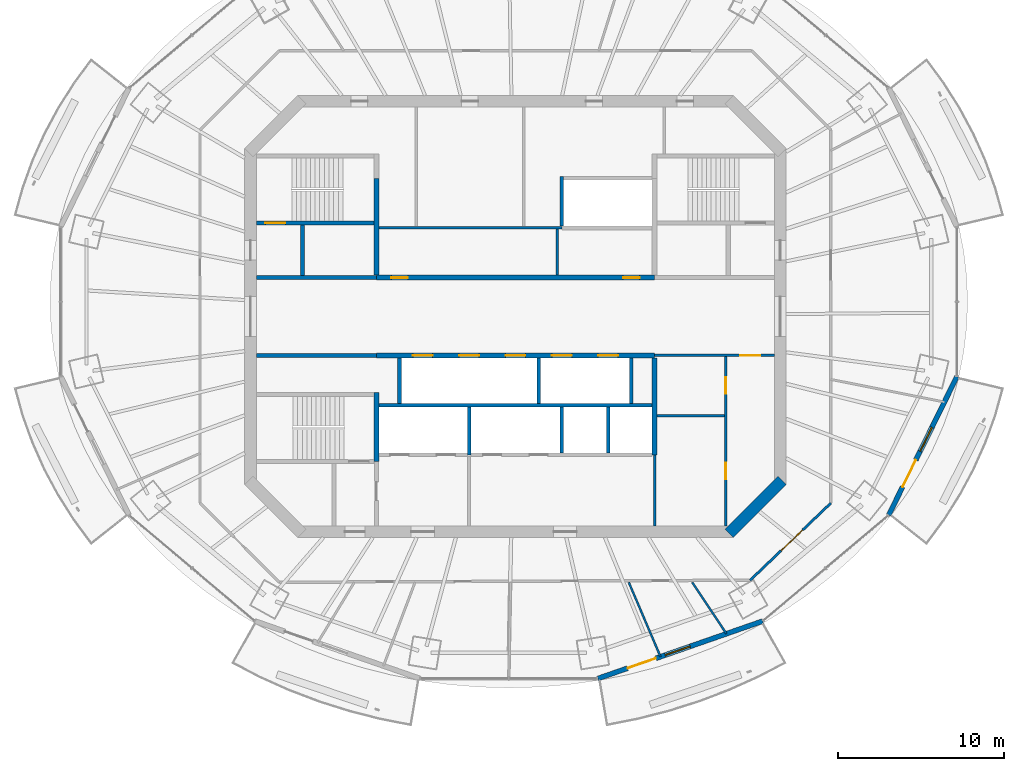
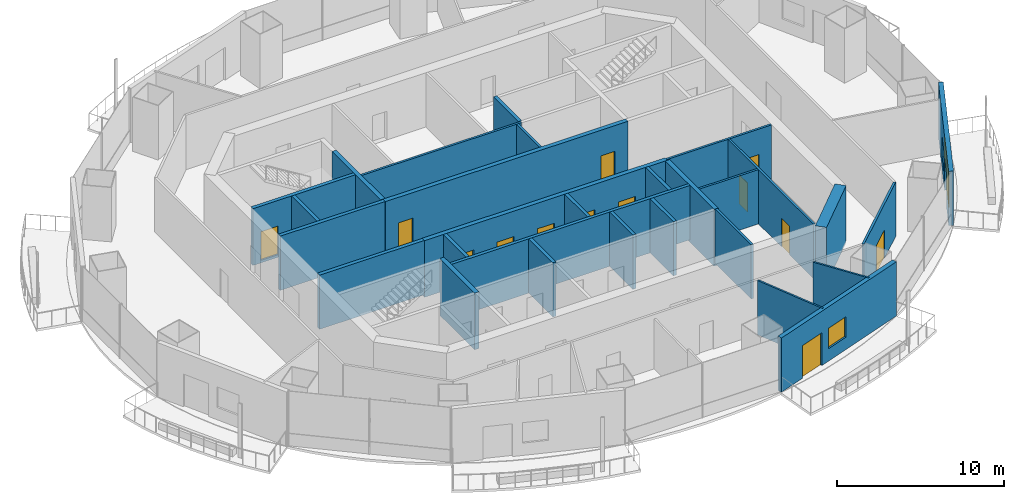
# One storey, part 9 of 16: 29 walls, 14 doors, 2 windows, 16 openings.
"""IFC4 building model written with IfcOpenShell, lengths in metres."""

import ifcopenshell
import ifcopenshell.guid

model = None  # the IFC model being written
_history = None  # IfcOwnerHistory: only IFC2X3 demands one
_inside = {}  # id of a spatial element -> (the spatial element, [elements in it])
_under = {}  # id of a project, library or spatial element -> (it, [spatial elements below it])
_declared = {}  # id of a project -> (the project, [libraries it declares])
_typed = {}  # id of a type object -> (the type object, [elements of that type])
_made_of = {}  # id of a material, layer set ... -> (it, [elements and type objects made of it])


def new_model(schema):
    """Start an empty IFC model of exactly this schema.

    Asked for "IFC4X3", IfcOpenShell would pick the latest addendum, in which some entities
    have other attributes; the version numbers below select the first issue.
    IFC2X3 requires an IfcOwnerHistory on every rooted entity: one is made here for all.
    """
    global model, _history
    if schema == "IFC4X3":
        model = ifcopenshell.file(schema_version=(4, 3, 0, 0))
    else:
        model = ifcopenshell.file(schema=schema)
    _inside.clear()
    _under.clear()
    _declared.clear()
    _typed.clear()
    _made_of.clear()
    _history = None
    if model.schema == "IFC2X3":
        org = make("IfcOrganization", Name="unknown")
        user = make(
            "IfcPersonAndOrganization",
            ThePerson=make("IfcPerson", FamilyName="unknown"),
            TheOrganization=org,
        )
        app = make(
            "IfcApplication",
            ApplicationDeveloper=org,
            Version="unknown",
            ApplicationFullName="unknown",
            ApplicationIdentifier="unknown",
        )
        _history = make(
            "IfcOwnerHistory",
            OwningUser=user,
            OwningApplication=app,
            ChangeAction="ADDED",
            CreationDate=0,
        )
    return model


def make(cls, **values):
    """One entity of the class cls with the attributes given. An attribute that is None is left unset."""
    return model.create_entity(
        cls, **{name: value for name, value in values.items() if value is not None}
    )


def rooted(cls, **values):
    """An entity with a GlobalId (a new one), such as an element, a storey or a relation."""
    return make(cls, GlobalId=ifcopenshell.guid.new(), OwnerHistory=_history, **values)


def si_unit(unit_type, name, prefix=None):
    """IfcSIUnit, for example si_unit("LENGTHUNIT", "METRE", prefix="MILLI")."""
    return make("IfcSIUnit", UnitType=unit_type, Prefix=prefix, Name=name)


def assignment(units):
    """IfcUnitAssignment: the units of a project."""
    return None if units is None else make("IfcUnitAssignment", Units=units)


def point(xyz):
    """IfcCartesianPoint."""
    return None if xyz is None else make("IfcCartesianPoint", Coordinates=xyz)


def direction(xyz):
    """IfcDirection."""
    return None if xyz is None else make("IfcDirection", DirectionRatios=xyz)


def frame(location, z_axis=None, x_axis=None):
    """IfcAxis2Placement3D, a coordinate frame: its origin and axes. An axis left out is left unset."""
    return make(
        "IfcAxis2Placement3D",
        Location=point(location),
        Axis=direction(z_axis),
        RefDirection=direction(x_axis),
    )


def frame_2d(location, x_axis=None):
    """IfcAxis2Placement2D, a coordinate frame in the plane: its origin and x axis."""
    return make(
        "IfcAxis2Placement2D", Location=point(location), RefDirection=direction(x_axis)
    )


def origin():
    """The frame at (0, 0, 0) with its axes left unset."""
    return frame((0.0, 0.0, 0.0))


def place(relative_to, where):
    """IfcLocalPlacement: puts the frame where relative to a parent placement (None: the world)."""
    return make(
        "IfcLocalPlacement", PlacementRelTo=relative_to, RelativePlacement=where
    )


def context(
    kind, dimensions, precision=None, world=None, true_north=None, identifier=None
):
    """IfcGeometricRepresentationContext, for example the 3D "Model" context."""
    return make(
        "IfcGeometricRepresentationContext",
        ContextIdentifier=identifier,
        ContextType=kind,
        CoordinateSpaceDimension=dimensions,
        Precision=precision,
        WorldCoordinateSystem=world,
        TrueNorth=true_north,
    )


def subcontext(parent, identifier, kind, view, scale=None):
    """IfcGeometricRepresentationSubContext, for example "Body" below "Model"."""
    return make(
        "IfcGeometricRepresentationSubContext",
        ContextIdentifier=identifier,
        ContextType=kind,
        ParentContext=parent,
        TargetScale=scale,
        TargetView=view,
    )


def project(units=None, contexts=None):
    """IfcProject with its units and contexts."""
    return rooted(
        "IfcProject",
        Name="project",
        RepresentationContexts=contexts,
        UnitsInContext=assignment(units),
    )


def spatial(cls, under=None, at=None, **own):
    """A site, building, storey or space (cls), placed at a placement, below another one or the project."""
    s = rooted(cls, ObjectPlacement=at, **own)
    if under is not None:
        _under.setdefault(under.id(), (under, []))[1].append(s)
    return s


def profile(cls, at=None, kind="AREA", **sizes):
    """A parametric profile (cls). Its sizes go by their IFC names, for example OverallWidth=200.0."""
    return make(cls, ProfileType=kind, Position=at, **sizes)


def rectangle(**sizes):
    """IfcRectangleProfileDef."""
    return profile("IfcRectangleProfileDef", **sizes)


def extrude(swept, where, along, depth):
    """IfcExtrudedAreaSolid: the profile swept, set in the frame where, extruded along a direction by depth."""
    return make(
        "IfcExtrudedAreaSolid",
        SweptArea=swept,
        Position=where,
        ExtrudedDirection=direction(along),
        Depth=depth,
    )


def shape(context_of_items, identifier, shape_type, items):
    """IfcShapeRepresentation: the items that make up one representation, for example the "Body"."""
    return make(
        "IfcShapeRepresentation",
        ContextOfItems=context_of_items,
        RepresentationIdentifier=identifier,
        RepresentationType=shape_type,
        Items=items,
    )


def material(Name=None, Category=None):
    """IfcMaterial."""
    return make("IfcMaterial", Name=Name, Category=Category)


def layer(
    of_material, thickness, ventilated=None, Name=None, Category=None, Priority=None
):
    """IfcMaterialLayer: one layer of a wall or slab, of a material (None: an air gap)."""
    return make(
        "IfcMaterialLayer",
        Material=of_material,
        LayerThickness=thickness,
        IsVentilated=ventilated,
        Name=Name,
        Category=Category,
        Priority=Priority,
    )


def layer_set(layers, Name=None):
    """IfcMaterialLayerSet."""
    return make("IfcMaterialLayerSet", MaterialLayers=layers, LayerSetName=Name)


def made_of(thing, what):
    """Note that an element or type object is made of a material, layer set ...; save() writes the relation."""
    if what is not None:
        _made_of.setdefault(what.id(), (what, []))[1].append(thing)
    return thing


def type_object(cls, material=None, **own):
    """A type object (cls), such as IfcWallType, which elements share."""
    return made_of(rooted(cls, **own), material)


def element(
    cls,
    number,
    at=None,
    inside=None,
    cuts=None,
    type_object=None,
    material=None,
    context=None,
    identifier="Body",
    shape_type=None,
    held_by="IfcProductDefinitionShape",
    body=None,
    shapes=None,
    **own,
):
    """One element of the class cls, such as IfcWall. Its Tag is "e" and its number.

    at: its placement. inside: the storey or other place that contains it. cuts: it is an
    opening in that element (IfcRelVoidsElement). A single representation is given by context,
    identifier, shape_type and body (its items); several are given by shapes. held_by: the class
    of the entity that holds the representations. save() writes the other relations.
    """
    e = rooted(cls, Tag="e%d" % number, ObjectPlacement=at, **own)
    if body is not None:
        shapes = [shape(context, identifier, shape_type, body)]
    if shapes is not None:
        e.Representation = make(held_by, Representations=shapes)
    if inside is not None:
        _inside.setdefault(inside.id(), (inside, []))[1].append(e)
    if cuts is not None:
        rooted(
            "IfcRelVoidsElement", RelatingBuildingElement=cuts, RelatedOpeningElement=e
        )
    if type_object is not None:
        _typed.setdefault(type_object.id(), (type_object, []))[1].append(e)
    return made_of(e, material)


def fill(opening, filler):
    """IfcRelFillsElement: the door or window that sits in an opening."""
    return rooted(
        "IfcRelFillsElement",
        RelatingOpeningElement=opening,
        RelatedBuildingElement=filler,
    )


def aggregate(whole, parts):
    """IfcRelAggregates: a whole, such as a stair, and the parts it consists of."""
    return rooted("IfcRelAggregates", RelatingObject=whole, RelatedObjects=parts)


def save(model, path):
    """Write the relations noted so far, then the file.

    IfcRelAggregates (storeys below a building ...), IfcRelContainedInSpatialStructure (elements
    in a storey), IfcRelDefinesByType, IfcRelAssociatesMaterial and IfcRelDeclares: one each for
    every whole, place, type object, material and project.
    """
    for whole, parts in _under.values():
        aggregate(whole, parts)
    for where, things in _inside.values():
        rooted(
            "IfcRelContainedInSpatialStructure",
            RelatedElements=things,
            RelatingStructure=where,
        )
    for kind, things in _typed.values():
        rooted("IfcRelDefinesByType", RelatedObjects=things, RelatingType=kind)
    for what, things in _made_of.values():
        rooted("IfcRelAssociatesMaterial", RelatedObjects=things, RelatingMaterial=what)
    for by, libraries in _declared.values():
        rooted("IfcRelDeclares", RelatingContext=by, RelatedDefinitions=libraries)
    model.write(path)


model = new_model("IFC4")

# Units and contexts
model_context = context("Model", 3, precision=1e-05, world=origin(), true_north=direction((0.0, 1.0)))
body_context = subcontext(model_context, "Body", "Model", "MODEL_VIEW")
ifc_project = project(units=[si_unit("LENGTHUNIT", "METRE"), si_unit("AREAUNIT", "SQUARE_METRE"), si_unit("VOLUMEUNIT", "CUBIC_METRE"), si_unit("PLANEANGLEUNIT", "RADIAN"), si_unit("MASSUNIT", "GRAM", prefix="KILO")], contexts=[model_context])

# Site, building, storey
site_placement = place(None, origin())
site = spatial("IfcSite", under=ifc_project, at=site_placement, CompositionType="ELEMENT")
building_placement = place(site_placement, origin())
building = spatial("IfcBuilding", under=site, at=building_placement, Name="Marenthal Gate Tower", CompositionType="ELEMENT")
storey_placement = place(building_placement, frame((0.0, 0.0, 326.0)))
storey = spatial("IfcBuildingStorey", under=building, at=storey_placement, Name="L73", CompositionType="ELEMENT", Elevation=326.0)

# Wall
ifc_material_1 = material(Name="Concrete 60 MPa", Category="concrete")
ifc_layer_1 = layer(ifc_material_1, 0.699951171875)
ifc_layer_set_1 = layer_set([ifc_layer_1], Name="Core shear wall 700")
wall_type_1 = type_object("IfcWallType", Name="Core shear wall 700", PredefinedType="SHEAR", material=ifc_layer_set_1)
wall_1_placement = place(storey_placement, frame((12.8974609375, -13.1025390625, -0.179931640625), z_axis=(0.0, 0.0, 1.0), x_axis=(0.707106781187, 0.707106781187, 0.0)))
element("IfcWall", 1, at=wall_1_placement, inside=storey, type_object=wall_type_1, Name="Core wall 01", PredefinedType="SHEAR", context=body_context, shape_type="SweptSolid", body=[
    extrude(rectangle(XDim=4.53271484375, YDim=0.699951171875, at=frame_2d((2.266357421875, 0.0))), origin(), (0.0, 0.0, 1.0), 4.14990234375),
])

# Wall, openings, doors
ifc_material_2 = material(Name="Concrete 50 MPa", Category="concrete")
ifc_layer_2 = layer(ifc_material_2, 0.300048828125)
ifc_layer_set_2 = layer_set([ifc_layer_2], Name="Hoistway shear wall 300")
wall_type_2 = type_object("IfcWallType", Name="Hoistway shear wall 300", PredefinedType="SHEAR", material=ifc_layer_set_2)
wall_2_placement = place(storey_placement, frame((-8.39990234375, -2.35009765625, -0.179931640625), z_axis=(0.0, 0.0, 1.0), x_axis=(1.0, 0.0, 0.0)))
wall_2 = element("IfcWall", 2, at=wall_2_placement, inside=storey, type_object=wall_type_2, Name="Hoistway wall 16", PredefinedType="SHEAR", context=body_context, shape_type="SweptSolid", body=[
    extrude(rectangle(XDim=16.7998046875, YDim=0.300048828125, at=frame_2d((8.39990234375, 0.0))), origin(), (0.0, 0.0, 1.0), 4.14990234375),
])
opening_1_placement = place(wall_2_placement, frame((2.199951171875, 0.0, 0.179931640625)))
opening_1 = element("IfcOpeningElement", 3, at=opening_1_placement, cuts=wall_2, Name="Opening LD-HP1", PredefinedType="OPENING", context=body_context, shape_type="SweptSolid", body=[
    extrude(rectangle(XDim=1.199951171875, YDim=2.10009765625, at=frame_2d((0.60009765625, 1.050048828125))), frame((0.0, 0.16015625, 0.0), z_axis=(0.0, -1.0, 0.0), x_axis=(1.0, 0.0, 0.0)), (0.0, 0.0, 1.0), 0.320068359375),
])
opening_2_placement = place(wall_2_placement, frame((5.0, 0.0, 0.179931640625)))
opening_2 = element("IfcOpeningElement", 4, at=opening_2_placement, cuts=wall_2, Name="Opening LD-HP2", PredefinedType="OPENING", context=body_context, shape_type="SweptSolid", body=[
    extrude(rectangle(XDim=1.199951171875, YDim=2.10009765625, at=frame_2d((0.60009765625, 1.050048828125))), frame((0.0, 0.16015625, 0.0), z_axis=(0.0, -1.0, 0.0), x_axis=(1.0, 0.0, 0.0)), (0.0, 0.0, 1.0), 0.320068359375),
])
opening_3_placement = place(wall_2_placement, frame((7.800048828125, 0.0, 0.179931640625)))
opening_3 = element("IfcOpeningElement", 5, at=opening_3_placement, cuts=wall_2, Name="Opening LD-HP3", PredefinedType="OPENING", context=body_context, shape_type="SweptSolid", body=[
    extrude(rectangle(XDim=1.199951171875, YDim=2.10009765625, at=frame_2d((0.60009765625, 1.050048828125))), frame((0.0, 0.16015625, 0.0), z_axis=(0.0, -1.0, 0.0), x_axis=(1.0, 0.0, 0.0)), (0.0, 0.0, 1.0), 0.320068359375),
])
opening_4_placement = place(wall_2_placement, frame((10.60009765625, 0.0, 0.179931640625)))
opening_4 = element("IfcOpeningElement", 6, at=opening_4_placement, cuts=wall_2, Name="Opening LD-HP4", PredefinedType="OPENING", context=body_context, shape_type="SweptSolid", body=[
    extrude(rectangle(XDim=1.199951171875, YDim=2.10009765625, at=frame_2d((0.60009765625, 1.050048828125))), frame((0.0, 0.16015625, 0.0), z_axis=(0.0, -1.0, 0.0), x_axis=(1.0, 0.0, 0.0)), (0.0, 0.0, 1.0), 0.320068359375),
])
opening_5_placement = place(wall_2_placement, frame((13.39990234375, 0.0, 0.179931640625)))
opening_5 = element("IfcOpeningElement", 7, at=opening_5_placement, cuts=wall_2, Name="Opening LD-HP5", PredefinedType="OPENING", context=body_context, shape_type="SweptSolid", body=[
    extrude(rectangle(XDim=1.199951171875, YDim=2.10009765625, at=frame_2d((0.60009765625, 1.050048828125))), frame((0.0, 0.16015625, 0.0), z_axis=(0.0, -1.0, 0.0), x_axis=(1.0, 0.0, 0.0)), (0.0, 0.0, 1.0), 0.320068359375),
])
ifc_material_3 = material(Name="Stainless steel sliding door", Category="steel")
door_type_1 = type_object("IfcDoorType", Name="Lift landing door FD 90 1200 x 2100", OperationType="DOUBLE_DOOR_SLIDING", PredefinedType="DOOR", material=ifc_material_3)
door_1_placement = place(opening_1_placement, origin())
door_1 = element("IfcDoor", 8, at=door_1_placement, inside=storey, type_object=door_type_1, Name="Lift landing door HP1", OperationType="DOUBLE_DOOR_SLIDING", OverallHeight=2.10009765625, OverallWidth=1.199951171875, PredefinedType="DOOR", context=body_context, shape_type="SweptSolid", body=[
    extrude(rectangle(XDim=1.199951171875, YDim=2.10009765625, at=frame_2d((0.60009765625, 1.050048828125))), frame((0.0, 0.02490234375, 0.0), z_axis=(0.0, -1.0, 0.0), x_axis=(1.0, 0.0, 0.0)), (0.0, 0.0, 1.0), 0.050048828125),
])
fill(opening_1, door_1)
door_2_placement = place(opening_2_placement, origin())
door_2 = element("IfcDoor", 9, at=door_2_placement, inside=storey, type_object=door_type_1, Name="Lift landing door HP2", OperationType="DOUBLE_DOOR_SLIDING", OverallHeight=2.10009765625, OverallWidth=1.199951171875, PredefinedType="DOOR", context=body_context, shape_type="SweptSolid", body=[
    extrude(rectangle(XDim=1.199951171875, YDim=2.10009765625, at=frame_2d((0.60009765625, 1.050048828125))), frame((0.0, 0.02490234375, 0.0), z_axis=(0.0, -1.0, 0.0), x_axis=(1.0, 0.0, 0.0)), (0.0, 0.0, 1.0), 0.050048828125),
])
fill(opening_2, door_2)
door_3_placement = place(opening_3_placement, origin())
door_3 = element("IfcDoor", 10, at=door_3_placement, inside=storey, type_object=door_type_1, Name="Lift landing door HP3", OperationType="DOUBLE_DOOR_SLIDING", OverallHeight=2.10009765625, OverallWidth=1.199951171875, PredefinedType="DOOR", context=body_context, shape_type="SweptSolid", body=[
    extrude(rectangle(XDim=1.199951171875, YDim=2.10009765625, at=frame_2d((0.60009765625, 1.050048828125))), frame((0.0, 0.02490234375, 0.0), z_axis=(0.0, -1.0, 0.0), x_axis=(1.0, 0.0, 0.0)), (0.0, 0.0, 1.0), 0.050048828125),
])
fill(opening_3, door_3)
door_4_placement = place(opening_4_placement, origin())
door_4 = element("IfcDoor", 11, at=door_4_placement, inside=storey, type_object=door_type_1, Name="Lift landing door HP4", OperationType="DOUBLE_DOOR_SLIDING", OverallHeight=2.10009765625, OverallWidth=1.199951171875, PredefinedType="DOOR", context=body_context, shape_type="SweptSolid", body=[
    extrude(rectangle(XDim=1.199951171875, YDim=2.10009765625, at=frame_2d((0.60009765625, 1.050048828125))), frame((0.0, 0.02490234375, 0.0), z_axis=(0.0, -1.0, 0.0), x_axis=(1.0, 0.0, 0.0)), (0.0, 0.0, 1.0), 0.050048828125),
])
fill(opening_4, door_4)
door_5_placement = place(opening_5_placement, origin())
door_5 = element("IfcDoor", 12, at=door_5_placement, inside=storey, type_object=door_type_1, Name="Lift landing door HP5", OperationType="DOUBLE_DOOR_SLIDING", OverallHeight=2.10009765625, OverallWidth=1.199951171875, PredefinedType="DOOR", context=body_context, shape_type="SweptSolid", body=[
    extrude(rectangle(XDim=1.199951171875, YDim=2.10009765625, at=frame_2d((0.60009765625, 1.050048828125))), frame((0.0, 0.02490234375, 0.0), z_axis=(0.0, -1.0, 0.0), x_axis=(1.0, 0.0, 0.0)), (0.0, 0.0, 1.0), 0.050048828125),
])
fill(opening_5, door_5)

wall_3_placement = place(storey_placement, frame((-8.39990234375, 2.35009765625, -0.179931640625), z_axis=(0.0, 0.0, 1.0), x_axis=(1.0, 0.0, 0.0)))
wall_3 = element("IfcWall", 13, at=wall_3_placement, inside=storey, type_object=wall_type_2, Name="Hoistway wall 19", PredefinedType="SHEAR", context=body_context, shape_type="SweptSolid", body=[
    extrude(rectangle(XDim=16.7998046875, YDim=0.300048828125, at=frame_2d((8.39990234375, 0.0))), origin(), (0.0, 0.0, 1.0), 4.14990234375),
])
opening_6_placement = place(wall_3_placement, frame((0.89990234375, 0.0, 0.179931640625)))
opening_6 = element("IfcOpeningElement", 14, at=opening_6_placement, cuts=wall_3, Name="Opening D005.01", PredefinedType="OPENING", context=body_context, shape_type="SweptSolid", body=[
    extrude(rectangle(XDim=1.0, YDim=2.10009765625, at=frame_2d((0.5, 1.050048828125))), frame((0.0, 0.16015625, 0.0), z_axis=(0.0, -1.0, 0.0), x_axis=(1.0, 0.0, 0.0)), (0.0, 0.0, 1.0), 0.320068359375),
])
opening_7_placement = place(wall_3_placement, frame((14.89990234375, 0.0, 0.179931640625)))
opening_7 = element("IfcOpeningElement", 15, at=opening_7_placement, cuts=wall_3, Name="Opening D005.02", PredefinedType="OPENING", context=body_context, shape_type="SweptSolid", body=[
    extrude(rectangle(XDim=1.0, YDim=2.10009765625, at=frame_2d((0.5, 1.050048828125))), frame((0.0, 0.16015625, 0.0), z_axis=(0.0, -1.0, 0.0), x_axis=(1.0, 0.0, 0.0)), (0.0, 0.0, 1.0), 0.320068359375),
])
ifc_material_4 = material(Name="Steel fire door", Category="steel")
door_type_2 = type_object("IfcDoorType", Name="Fire door FD 45 1000 x 2100", OperationType="NOTDEFINED", PredefinedType="DOOR", material=ifc_material_4)
door_6_placement = place(opening_6_placement, origin())
door_6 = element("IfcDoor", 16, at=door_6_placement, inside=storey, type_object=door_type_2, Name="Door D005.01", OperationType="SINGLE_SWING_RIGHT", OverallHeight=2.10009765625, OverallWidth=1.0, PredefinedType="DOOR", context=body_context, shape_type="SweptSolid", body=[
    extrude(rectangle(XDim=1.0, YDim=2.10009765625, at=frame_2d((0.5, 1.050048828125))), frame((0.0, 0.02490234375, 0.0), z_axis=(0.0, -1.0, 0.0), x_axis=(1.0, 0.0, 0.0)), (0.0, 0.0, 1.0), 0.050048828125),
])
fill(opening_6, door_6)
door_7_placement = place(opening_7_placement, origin())
door_7 = element("IfcDoor", 17, at=door_7_placement, inside=storey, type_object=door_type_2, Name="Door D005.02", OperationType="SINGLE_SWING_RIGHT", OverallHeight=2.10009765625, OverallWidth=1.0, PredefinedType="DOOR", context=body_context, shape_type="SweptSolid", body=[
    extrude(rectangle(XDim=1.0, YDim=2.10009765625, at=frame_2d((0.5, 1.050048828125))), frame((0.0, 0.02490234375, 0.0), z_axis=(0.0, -1.0, 0.0), x_axis=(1.0, 0.0, 0.0)), (0.0, 0.0, 1.0), 0.050048828125),
])
fill(opening_7, door_7)

# Walls
wall_4_placement = place(storey_placement, frame((-8.39990234375, -8.75, -0.179931640625), z_axis=(0.0, 0.0, 1.0), x_axis=(0.0, 1.0, 0.0)))
element("IfcWall", 18, at=wall_4_placement, inside=storey, type_object=wall_type_2, Name="Hoistway wall 31", PredefinedType="SHEAR", context=body_context, shape_type="SweptSolid", body=[
    extrude(rectangle(XDim=4.175048828125, YDim=0.300048828125, at=frame_2d((2.08740234375, 0.0))), origin(), (0.0, 0.0, 1.0), 4.14990234375),
])
for number, where, z_axis, x_axis, name in (
    (19, (-8.39990234375, 2.5, -0.179931640625), (0.0, 0.0, 1.0), (0.0, 1.0, 0.0), "Hoistway wall 32"),
    (20, (8.39990234375, -8.35009765625, -0.179931640625), (0.0, 0.0, 1.0), (0.0, 1.0, 0.0), "Hoistway wall 46"),
):
    element("IfcWall", number, at=place(storey_placement, frame(where, z_axis=z_axis, x_axis=x_axis)), inside=storey, type_object=wall_type_2, Name=name, PredefinedType="SHEAR", context=body_context, shape_type="SweptSolid", body=[
        extrude(rectangle(XDim=5.85009765625, YDim=0.300048828125, at=frame_2d((2.925048828125, 0.0))), origin(), (0.0, 0.0, 1.0), 4.14990234375),
    ])
ifc_material_5 = material(Name="Concrete 40 MPa", Category="concrete")
ifc_layer_3 = layer(ifc_material_5, 0.219970703125)
ifc_layer_set_3 = layer_set([ifc_layer_3], Name="Hoistway wall 220")
wall_type_3 = type_object("IfcWallType", Name="Hoistway wall 220", PredefinedType="STANDARD", material=ifc_layer_set_3)
wall_5_placement = place(storey_placement, frame((-8.25, -5.35009765625, 0.0), z_axis=(0.0, 0.0, 1.0), x_axis=(1.0, 0.0, 0.0)))
element("IfcWall", 21, at=wall_5_placement, inside=storey, type_object=wall_type_3, Name="Hoistway wall 13", PredefinedType="STANDARD", context=body_context, shape_type="SweptSolid", body=[
    extrude(rectangle(XDim=16.5, YDim=0.219970703125, at=frame_2d((8.25, 0.0))), origin(), (0.0, 0.0, 1.0), 3.969970703125),
])
wall_6_placement = place(storey_placement, frame((-7.0, -5.239990234375, 0.0), z_axis=(0.0, 0.0, 1.0), x_axis=(0.0, 1.0, 0.0)))
element("IfcWall", 22, at=wall_6_placement, inside=storey, type_object=wall_type_3, Name="Hoistway wall 34", PredefinedType="STANDARD", context=body_context, shape_type="SweptSolid", body=[
    extrude(rectangle(XDim=2.739990234375, YDim=0.219970703125, at=frame_2d((1.3701171875, 0.0))), origin(), (0.0, 0.0, 1.0), 3.969970703125),
])
wall_7_placement = place(storey_placement, frame((-2.800048828125, -8.35009765625, 0.0), z_axis=(0.0, 0.0, 1.0), x_axis=(0.0, 1.0, 0.0)))
element("IfcWall", 23, at=wall_7_placement, inside=storey, type_object=wall_type_3, Name="Hoistway wall 37", PredefinedType="STANDARD", context=body_context, shape_type="SweptSolid", body=[
    extrude(rectangle(XDim=2.89013671875, YDim=0.219970703125, at=frame_2d((1.445068359375, 0.0))), origin(), (0.0, 0.0, 1.0), 3.969970703125),
])
wall_8_placement = place(storey_placement, frame((1.39990234375, -5.239990234375, 0.0), z_axis=(0.0, 0.0, 1.0), x_axis=(0.0, 1.0, 0.0)))
element("IfcWall", 24, at=wall_8_placement, inside=storey, type_object=wall_type_3, Name="Hoistway wall 39", PredefinedType="STANDARD", context=body_context, shape_type="SweptSolid", body=[
    extrude(rectangle(XDim=2.739990234375, YDim=0.219970703125, at=frame_2d((1.3701171875, 0.0))), origin(), (0.0, 0.0, 1.0), 3.969970703125),
])
wall_9_placement = place(storey_placement, frame((2.800048828125, -8.239990234375, 0.0), z_axis=(0.0, 0.0, 1.0), x_axis=(0.0, 1.0, 0.0)))
element("IfcWall", 25, at=wall_9_placement, inside=storey, type_object=wall_type_3, Name="Hoistway wall 41", PredefinedType="STANDARD", context=body_context, shape_type="SweptSolid", body=[
    extrude(rectangle(XDim=2.780029296875, YDim=0.219970703125, at=frame_2d((1.39013671875, 0.0))), origin(), (0.0, 0.0, 1.0), 3.969970703125),
])
wall_10_placement = place(storey_placement, frame((2.800048828125, 5.4599609375, 0.0), z_axis=(0.0, 0.0, 1.0), x_axis=(0.0, 1.0, 0.0)))
element("IfcWall", 26, at=wall_10_placement, inside=storey, type_object=wall_type_3, Name="Hoistway wall 42", PredefinedType="STANDARD", context=body_context, shape_type="SweptSolid", body=[
    extrude(rectangle(XDim=3.0, YDim=0.219970703125, at=frame_2d((1.5, 0.0))), origin(), (0.0, 0.0, 1.0), 3.969970703125),
])
wall_11_placement = place(storey_placement, frame((5.60009765625, -8.239990234375, 0.0), z_axis=(0.0, 0.0, 1.0), x_axis=(0.0, 1.0, 0.0)))
element("IfcWall", 27, at=wall_11_placement, inside=storey, type_object=wall_type_3, Name="Hoistway wall 43", PredefinedType="STANDARD", context=body_context, shape_type="SweptSolid", body=[
    extrude(rectangle(XDim=2.780029296875, YDim=0.219970703125, at=frame_2d((1.39013671875, 0.0))), origin(), (0.0, 0.0, 1.0), 3.969970703125),
])
wall_12_placement = place(storey_placement, frame((7.0, -5.239990234375, 0.0), z_axis=(0.0, 0.0, 1.0), x_axis=(0.0, 1.0, 0.0)))
element("IfcWall", 28, at=wall_12_placement, inside=storey, type_object=wall_type_3, Name="Hoistway wall 44", PredefinedType="STANDARD", context=body_context, shape_type="SweptSolid", body=[
    extrude(rectangle(XDim=2.739990234375, YDim=0.219970703125, at=frame_2d((1.3701171875, 0.0))), origin(), (0.0, 0.0, 1.0), 3.969970703125),
])
ifc_material_6 = material(Name="Gypsum board on steel studs", Category="steel")
ifc_layer_4 = layer(ifc_material_6, 0.1201171875)
ifc_layer_set_4 = layer_set([ifc_layer_4], Name="Partition 120")
wall_type_4 = type_object("IfcWallType", Name="Partition 120", PredefinedType="PARTITIONING", material=ifc_layer_set_4)
wall_13_placement = place(storey_placement, frame((6.843505859375, -16.050048828125, 0.0), z_axis=(0.0, 0.0, 1.0), x_axis=(0.392236363269, -0.919864465739, 0.0)))
element("IfcWall", 29, at=wall_13_placement, inside=storey, type_object=wall_type_4, Name="Partition wall 62", PredefinedType="PARTITIONING", context=body_context, shape_type="SweptSolid", body=[
    extrude(rectangle(XDim=4.88671875, YDim=0.1201171875, at=frame_2d((2.443359375, 0.0))), origin(), (0.0, 0.0, 1.0), 3.969970703125),
])
wall_14_placement = place(storey_placement, frame((10.6748046875, -16.050048828125, 0.0), z_axis=(0.0, 0.0, 1.0), x_axis=(0.553809323765, -0.832643520908, 0.0)))
element("IfcWall", 30, at=wall_14_placement, inside=storey, type_object=wall_type_4, Name="Partition wall 63", PredefinedType="PARTITIONING", context=body_context, shape_type="SweptSolid", body=[
    extrude(rectangle(XDim=3.732666015625, YDim=0.1201171875, at=frame_2d((1.8662109375, 0.0))), origin(), (0.0, 0.0, 1.0), 3.969970703125),
])
ifc_material_7 = material(Name="Gypsum board on steel studs", Category="steel")
ifc_layer_5 = layer(ifc_material_7, 0.14990234375)
ifc_layer_set_5 = layer_set([ifc_layer_5], Name="Partition 150")
wall_type_5 = type_object("IfcWallType", Name="Partition 150", PredefinedType="PARTITIONING", material=ifc_layer_set_5)
wall_15_placement = place(storey_placement, frame((8.550048828125, -6.0, 0.0), z_axis=(0.0, 0.0, 1.0), x_axis=(1.0, 0.0, 0.0)))
element("IfcWall", 31, at=wall_15_placement, inside=storey, type_object=wall_type_5, Name="Partition wall 12", PredefinedType="PARTITIONING", context=body_context, shape_type="SweptSolid", body=[
    extrude(rectangle(XDim=4.074951171875, YDim=0.14990234375, at=frame_2d((2.03759765625, 0.0))), origin(), (0.0, 0.0, 1.0), 3.969970703125),
])

# Wall, opening, door
wall_16_placement = place(storey_placement, frame((8.39990234375, -2.35009765625, 0.0), z_axis=(0.0, 0.0, 1.0), x_axis=(1.0, 0.0, 0.0)))
wall_16 = element("IfcWall", 32, at=wall_16_placement, inside=storey, type_object=wall_type_5, Name="Partition wall 17", PredefinedType="PARTITIONING", context=body_context, shape_type="SweptSolid", body=[
    extrude(rectangle(XDim=7.25, YDim=0.14990234375, at=frame_2d((3.625, 0.0))), origin(), (0.0, 0.0, 1.0), 3.969970703125),
])
opening_8_placement = place(wall_16_placement, frame((5.175048828125, 0.0, 0.0)))
opening_8 = element("IfcOpeningElement", 33, at=opening_8_placement, cuts=wall_16, Name="Opening D006.01", PredefinedType="OPENING", context=body_context, shape_type="SweptSolid", body=[
    extrude(rectangle(XDim=1.199951171875, YDim=2.10009765625, at=frame_2d((0.60009765625, 1.050048828125))), frame((0.0, 0.0849609375, 0.0), z_axis=(0.0, -1.0, 0.0), x_axis=(1.0, 0.0, 0.0)), (0.0, 0.0, 1.0), 0.169921875),
])
ifc_material_8 = material(Name="Steel fire door", Category="steel")
door_type_3 = type_object("IfcDoorType", Name="Fire door FD 45 1200 x 2100", OperationType="NOTDEFINED", PredefinedType="DOOR", material=ifc_material_8)
door_8_placement = place(opening_8_placement, frame((1.199951171875, 0.0, 0.0), z_axis=(0.0, 0.0, 1.0), x_axis=(-1.0, 0.0, 0.0)))
door_8 = element("IfcDoor", 34, at=door_8_placement, inside=storey, type_object=door_type_3, Name="Door D006.01", OperationType="SINGLE_SWING_LEFT", OverallHeight=2.10009765625, OverallWidth=1.199951171875, PredefinedType="DOOR", context=body_context, shape_type="SweptSolid", body=[
    extrude(rectangle(XDim=1.199951171875, YDim=2.10009765625, at=frame_2d((0.60009765625, 1.050048828125))), frame((0.0, 0.02490234375, 0.0), z_axis=(0.0, -1.0, 0.0), x_axis=(1.0, 0.0, 0.0)), (0.0, 0.0, 1.0), 0.050048828125),
])
fill(opening_8, door_8)

# Walls
wall_17_placement = place(storey_placement, frame((-8.25, 5.35009765625, 0.0), z_axis=(0.0, 0.0, 1.0), x_axis=(1.0, 0.0, 0.0)))
element("IfcWall", 35, at=wall_17_placement, inside=storey, type_object=wall_type_5, Name="Partition wall 21", PredefinedType="PARTITIONING", context=body_context, shape_type="SweptSolid", body=[
    extrude(rectangle(XDim=11.050048828125, YDim=0.14990234375, at=frame_2d((5.52490234375, 0.0))), origin(), (0.0, 0.0, 1.0), 3.969970703125),
])
wall_18_placement = place(storey_placement, frame((2.52001953125, 2.5, 0.0), z_axis=(0.0, 0.0, 1.0), x_axis=(0.0, 1.0, 0.0)))
element("IfcWall", 36, at=wall_18_placement, inside=storey, type_object=wall_type_5, Name="Partition wall 40", PredefinedType="PARTITIONING", context=body_context, shape_type="SweptSolid", body=[
    extrude(rectangle(XDim=2.77490234375, YDim=0.14990234375, at=frame_2d((1.387451171875, 0.0))), origin(), (0.0, 0.0, 1.0), 3.969970703125),
])
wall_19_placement = place(storey_placement, frame((8.39990234375, -12.64990234375, 0.0), z_axis=(0.0, 0.0, 1.0), x_axis=(0.0, 1.0, 0.0)))
element("IfcWall", 37, at=wall_19_placement, inside=storey, type_object=wall_type_5, Name="Partition wall 45", PredefinedType="PARTITIONING", context=body_context, shape_type="SweptSolid", body=[
    extrude(rectangle(XDim=4.2998046875, YDim=0.14990234375, at=frame_2d((2.14990234375, 0.0))), origin(), (0.0, 0.0, 1.0), 3.969970703125),
])

# Wall, openings, doors
wall_20_placement = place(storey_placement, frame((12.699951171875, -12.64990234375, 0.0), z_axis=(0.0, 0.0, 1.0), x_axis=(0.0, 1.0, 0.0)))
wall_20 = element("IfcWall", 38, at=wall_20_placement, inside=storey, type_object=wall_type_5, Name="Partition wall 50", PredefinedType="PARTITIONING", context=body_context, shape_type="SweptSolid", body=[
    extrude(rectangle(XDim=10.224853515625, YDim=0.14990234375, at=frame_2d((5.1123046875, 0.0))), origin(), (0.0, 0.0, 1.0), 3.969970703125),
])
opening_9_placement = place(wall_20_placement, frame((7.97509765625, 0.0, 0.0)))
opening_9 = element("IfcOpeningElement", 39, at=opening_9_placement, cuts=wall_20, Name="Opening D005.07", PredefinedType="OPENING", context=body_context, shape_type="SweptSolid", body=[
    extrude(rectangle(XDim=1.0, YDim=2.10009765625, at=frame_2d((0.5, 1.050048828125))), frame((0.0, 0.0849609375, 0.0), z_axis=(0.0, -1.0, 0.0), x_axis=(1.0, 0.0, 0.0)), (0.0, 0.0, 1.0), 0.169921875),
])
opening_10_placement = place(wall_20_placement, frame((2.824951171875, 0.0, 0.0)))
opening_10 = element("IfcOpeningElement", 40, at=opening_10_placement, cuts=wall_20, Name="Opening D005.08", PredefinedType="OPENING", context=body_context, shape_type="SweptSolid", body=[
    extrude(rectangle(XDim=1.0, YDim=2.10009765625, at=frame_2d((0.5, 1.050048828125))), frame((0.0, 0.0849609375, 0.0), z_axis=(0.0, -1.0, 0.0), x_axis=(1.0, 0.0, 0.0)), (0.0, 0.0, 1.0), 0.169921875),
])
door_9_placement = place(opening_9_placement, origin())
door_9 = element("IfcDoor", 41, at=door_9_placement, inside=storey, type_object=door_type_2, Name="Door D005.07", OperationType="SINGLE_SWING_RIGHT", OverallHeight=2.10009765625, OverallWidth=1.0, PredefinedType="DOOR", context=body_context, shape_type="SweptSolid", body=[
    extrude(rectangle(XDim=1.0, YDim=2.10009765625, at=frame_2d((0.5, 1.050048828125))), frame((0.0, 0.02490234375, 0.0), z_axis=(0.0, -1.0, 0.0), x_axis=(1.0, 0.0, 0.0)), (0.0, 0.0, 1.0), 0.050048828125),
])
fill(opening_9, door_9)
door_10_placement = place(opening_10_placement, origin())
door_10 = element("IfcDoor", 42, at=door_10_placement, inside=storey, type_object=door_type_2, Name="Door D005.08", OperationType="SINGLE_SWING_RIGHT", OverallHeight=2.10009765625, OverallWidth=1.0, PredefinedType="DOOR", context=body_context, shape_type="SweptSolid", body=[
    extrude(rectangle(XDim=1.0, YDim=2.10009765625, at=frame_2d((0.5, 1.050048828125))), frame((0.0, 0.02490234375, 0.0), z_axis=(0.0, -1.0, 0.0), x_axis=(1.0, 0.0, 0.0)), (0.0, 0.0, 1.0), 0.050048828125),
])
fill(opening_10, door_10)

# Wall, opening, door
wall_21_placement = place(storey_placement, frame((19.050048828125, -11.263427734375, 0.0), z_axis=(0.0, 0.0, 1.0), x_axis=(-0.722587616722, -0.691279347414, 0.0)))
wall_21 = element("IfcWall", 43, at=wall_21_placement, inside=storey, type_object=wall_type_5, Name="Partition wall 66", PredefinedType="PARTITIONING", context=body_context, shape_type="SweptSolid", body=[
    extrude(rectangle(XDim=6.7451171875, YDim=0.14990234375, at=frame_2d((3.37255859375, 0.0))), origin(), (0.0, 0.0, 1.0), 3.969970703125),
])
opening_11_placement = place(wall_21_placement, frame((2.360107421875, 0.0, 0.0)))
opening_11 = element("IfcOpeningElement", 44, at=opening_11_placement, cuts=wall_21, Name="Opening D014.02", PredefinedType="OPENING", context=body_context, shape_type="SweptSolid", body=[
    extrude(rectangle(XDim=1.800048828125, YDim=2.10009765625, at=frame_2d((0.89990234375, 1.050048828125))), frame((0.0, 0.0849609375, 0.0), z_axis=(0.0, -1.0, 0.0), x_axis=(1.0, 0.0, 0.0)), (0.0, 0.0, 1.0), 0.169921875),
])
ifc_material_9 = material(Name="Timber door", Category="wood")
door_type_4 = type_object("IfcDoorType", Name="Double door 1800 x 2100", OperationType="DOUBLE_DOOR_SINGLE_SWING", PredefinedType="DOOR", material=ifc_material_9)
door_11_placement = place(opening_11_placement, origin())
door_11 = element("IfcDoor", 45, at=door_11_placement, inside=storey, type_object=door_type_4, Name="Door D014.02", OperationType="DOUBLE_DOOR_SINGLE_SWING", OverallHeight=2.10009765625, OverallWidth=1.800048828125, PredefinedType="DOOR", context=body_context, shape_type="SweptSolid", body=[
    extrude(rectangle(XDim=1.800048828125, YDim=2.10009765625, at=frame_2d((0.89990234375, 1.050048828125))), frame((0.0, 0.02490234375, 0.0), z_axis=(0.0, -1.0, 0.0), x_axis=(1.0, 0.0, 0.0)), (0.0, 0.0, 1.0), 0.050048828125),
])
fill(opening_11, door_11)

# Walls
ifc_material_10 = material(Name="Concrete 40 MPa", Category="concrete")
ifc_layer_6 = layer(ifc_material_10, 0.25)
ifc_layer_set_6 = layer_set([ifc_layer_6], Name="Stair enclosure wall 250")
wall_type_6 = type_object("IfcWallType", Name="Stair enclosure wall 250", PredefinedType="STANDARD", material=ifc_layer_set_6)
for number, where, z_axis, x_axis, name in (
    (46, (-15.64990234375, -2.35009765625, 0.0), (0.0, 0.0, 1.0), (1.0, 0.0, 0.0), "Stair wall 15"),
    (47, (-15.64990234375, 2.35009765625, 0.0), (0.0, 0.0, 1.0), (1.0, 0.0, 0.0), "Stair wall 18"),
):
    element("IfcWall", number, at=place(storey_placement, frame(where, z_axis=z_axis, x_axis=x_axis)), inside=storey, type_object=wall_type_6, Name=name, PredefinedType="STANDARD", context=body_context, shape_type="SweptSolid", body=[
        extrude(rectangle(XDim=7.25, YDim=0.25, at=frame_2d((3.625, 0.0))), origin(), (0.0, 0.0, 1.0), 3.969970703125),
    ])
wall_22_placement = place(storey_placement, frame((-12.85009765625, 2.47509765625, 0.0), z_axis=(0.0, 0.0, 1.0), x_axis=(0.0, 1.0, 0.0)))
element("IfcWall", 48, at=wall_22_placement, inside=storey, type_object=wall_type_6, Name="Stair wall 28", PredefinedType="STANDARD", context=body_context, shape_type="SweptSolid", body=[
    extrude(rectangle(XDim=3.0498046875, YDim=0.25, at=frame_2d((1.52490234375, 0.0))), origin(), (0.0, 0.0, 1.0), 3.969970703125),
])

# Wall, opening, door
ifc_material_11 = material(Name="Concrete 50 MPa", Category="concrete")
ifc_layer_7 = layer(ifc_material_11, 0.25)
ifc_layer_set_7 = layer_set([ifc_layer_7], Name="Stair shear wall 250")
wall_type_7 = type_object("IfcWallType", Name="Stair shear wall 250", PredefinedType="SHEAR", material=ifc_layer_set_7)
wall_23_placement = place(storey_placement, frame((-15.64990234375, 5.64990234375, -0.179931640625), z_axis=(0.0, 0.0, 1.0), x_axis=(1.0, 0.0, 0.0)))
wall_23 = element("IfcWall", 49, at=wall_23_placement, inside=storey, type_object=wall_type_7, Name="Stair wall 23", PredefinedType="SHEAR", context=body_context, shape_type="SweptSolid", body=[
    extrude(rectangle(XDim=7.099853515625, YDim=0.25, at=frame_2d((3.5498046875, 0.0))), origin(), (0.0, 0.0, 1.0), 4.14990234375),
])
opening_12_placement = place(wall_23_placement, frame((0.550048828125, 0.0, 0.179931640625)))
opening_12 = element("IfcOpeningElement", 50, at=opening_12_placement, cuts=wall_23, Name="Opening D001.01", PredefinedType="OPENING", context=body_context, shape_type="SweptSolid", body=[
    extrude(rectangle(XDim=1.199951171875, YDim=2.10009765625, at=frame_2d((0.60009765625, 1.050048828125))), frame((0.0, 0.135009765625, 0.0), z_axis=(0.0, -1.0, 0.0), x_axis=(1.0, 0.0, 0.0)), (0.0, 0.0, 1.0), 0.27001953125),
])
ifc_material_12 = material(Name="Steel fire door", Category="steel")
door_type_5 = type_object("IfcDoorType", Name="Fire door FD 90 1200 x 2100", OperationType="NOTDEFINED", PredefinedType="DOOR", material=ifc_material_12)
door_12_placement = place(opening_12_placement, origin())
door_12 = element("IfcDoor", 51, at=door_12_placement, inside=storey, type_object=door_type_5, Name="Door D001.01", OperationType="SINGLE_SWING_RIGHT", OverallHeight=2.10009765625, OverallWidth=1.199951171875, PredefinedType="DOOR", context=body_context, shape_type="SweptSolid", body=[
    extrude(rectangle(XDim=1.199951171875, YDim=2.10009765625, at=frame_2d((0.60009765625, 1.050048828125))), frame((0.0, 0.02490234375, 0.0), z_axis=(0.0, -1.0, 0.0), x_axis=(1.0, 0.0, 0.0)), (0.0, 0.0, 1.0), 0.050048828125),
])
fill(opening_12, door_12)

# Wall, openings, door, window
ifc_material_13 = material(Name="Terracotta cladding on insulated concrete-block backing", Category="masonry")
ifc_layer_8 = layer(ifc_material_13, 0.300048828125)
ifc_layer_set_8 = layer_set([ifc_layer_8], Name="Terracotta facade wall 300")
wall_type_8 = type_object("IfcWallType", Name="Terracotta facade wall 300", PredefinedType="SOLIDWALL", material=ifc_layer_set_8)
wall_24_placement = place(storey_placement, frame((4.98291015625, -21.861083984375, 0.0), z_axis=(0.0, 0.0, 1.0), x_axis=(0.944334385595, 0.328987185438, 0.0)))
wall_24 = element("IfcWall", 52, at=wall_24_placement, inside=storey, type_object=wall_type_8, Name="Terracotta facade wall L73 bay 13", PredefinedType="SOLIDWALL", context=body_context, shape_type="SweptSolid", body=[
    extrude(rectangle(XDim=10.532470703125, YDim=0.300048828125, at=frame_2d((5.26611328125, 0.0))), origin(), (0.0, 0.0, 1.0), 3.969970703125),
])
opening_13_placement = place(wall_24_placement, frame((1.89990234375, 0.0, 0.0)))
opening_13 = element("IfcOpeningElement", 53, at=opening_13_placement, cuts=wall_24, Name="Opening BD-L73-13", PredefinedType="OPENING", context=body_context, shape_type="SweptSolid", body=[
    extrude(rectangle(XDim=1.800048828125, YDim=2.39990234375, at=frame_2d((0.89990234375, 1.199951171875))), frame((0.0, 0.16015625, 0.0), z_axis=(0.0, -1.0, 0.0), x_axis=(1.0, 0.0, 0.0)), (0.0, 0.0, 1.0), 0.320068359375),
])
opening_14_placement = place(wall_24_placement, frame((4.300048828125, 0.0, 0.89990234375)))
opening_14 = element("IfcOpeningElement", 54, at=opening_14_placement, cuts=wall_24, Name="Opening WN3-L73-13", PredefinedType="OPENING", context=body_context, shape_type="SweptSolid", body=[
    extrude(rectangle(XDim=1.60009765625, YDim=1.5, at=frame_2d((0.800048828125, 0.75))), frame((0.0, 0.16015625, 0.0), z_axis=(0.0, -1.0, 0.0), x_axis=(1.0, 0.0, 0.0)), (0.0, 0.0, 1.0), 0.320068359375),
])
ifc_material_14 = material(Name="Aluminium and glass", Category="aluminium")
door_type_6 = type_object("IfcDoorType", Name="Balcony door 1800x2400", OperationType="DOUBLE_DOOR_SINGLE_SWING", PredefinedType="DOOR", material=ifc_material_14)
door_13_placement = place(opening_13_placement, origin())
door_13 = element("IfcDoor", 55, at=door_13_placement, inside=storey, type_object=door_type_6, Name="Balcony door L73 bay 13", OperationType="SINGLE_SWING_LEFT", OverallHeight=2.39990234375, OverallWidth=1.800048828125, PredefinedType="DOOR", context=body_context, shape_type="SweptSolid", body=[
    extrude(rectangle(XDim=1.800048828125, YDim=2.39990234375, at=frame_2d((0.89990234375, 1.199951171875))), frame((0.0, 0.02490234375, 0.0), z_axis=(0.0, -1.0, 0.0), x_axis=(1.0, 0.0, 0.0)), (0.0, 0.0, 1.0), 0.050048828125),
])
fill(opening_13, door_13)
ifc_material_15 = material(Name="Aluminium and glass", Category="aluminium")
window_type = type_object("IfcWindowType", Name="Window 1600x1500", PartitioningType="DOUBLE_PANEL_VERTICAL", PredefinedType="WINDOW", material=ifc_material_15)
window_1_placement = place(opening_14_placement, origin())
window_1 = element("IfcWindow", 56, at=window_1_placement, inside=storey, type_object=window_type, Name="Window L73 bay 13", OverallHeight=1.5, OverallWidth=1.60009765625, PartitioningType="SINGLE_PANEL", PredefinedType="WINDOW", context=body_context, shape_type="SweptSolid", body=[
    extrude(rectangle(XDim=1.60009765625, YDim=1.5, at=frame_2d((0.800048828125, 0.75))), frame((0.0, 0.030029296875, 0.0), z_axis=(0.0, -1.0, 0.0), x_axis=(1.0, 0.0, 0.0)), (0.0, 0.0, 1.0), 0.06005859375),
])
fill(opening_14, window_1)

wall_25_placement = place(storey_placement, frame((22.5419921875, -11.9931640625, 0.0), z_axis=(0.0, 0.0, 1.0), x_axis=(0.441801707928, 0.897112730303, 0.0)))
wall_25 = element("IfcWall", 57, at=wall_25_placement, inside=storey, type_object=wall_type_8, Name="Terracotta facade wall L73 bay 15", PredefinedType="SOLIDWALL", context=body_context, shape_type="SweptSolid", body=[
    extrude(rectangle(XDim=9.3251953125, YDim=0.300048828125, at=frame_2d((4.66259765625, 0.0))), origin(), (0.0, 0.0, 1.0), 3.969970703125),
])
opening_15_placement = place(wall_25_placement, frame((1.89990234375, 0.0, 0.0)))
opening_15 = element("IfcOpeningElement", 58, at=opening_15_placement, cuts=wall_25, Name="Opening BD-L73-15", PredefinedType="OPENING", context=body_context, shape_type="SweptSolid", body=[
    extrude(rectangle(XDim=1.800048828125, YDim=2.39990234375, at=frame_2d((0.89990234375, 1.199951171875))), frame((0.0, 0.16015625, 0.0), z_axis=(0.0, -1.0, 0.0), x_axis=(1.0, 0.0, 0.0)), (0.0, 0.0, 1.0), 0.320068359375),
])
opening_16_placement = place(wall_25_placement, frame((4.300048828125, 0.0, 0.89990234375)))
opening_16 = element("IfcOpeningElement", 59, at=opening_16_placement, cuts=wall_25, Name="Opening WN3-L73-15", PredefinedType="OPENING", context=body_context, shape_type="SweptSolid", body=[
    extrude(rectangle(XDim=1.60009765625, YDim=1.5, at=frame_2d((0.800048828125, 0.75))), frame((0.0, 0.16015625, 0.0), z_axis=(0.0, -1.0, 0.0), x_axis=(1.0, 0.0, 0.0)), (0.0, 0.0, 1.0), 0.320068359375),
])
door_14_placement = place(opening_15_placement, origin())
door_14 = element("IfcDoor", 60, at=door_14_placement, inside=storey, type_object=door_type_6, Name="Balcony door L73 bay 15", OperationType="SINGLE_SWING_LEFT", OverallHeight=2.39990234375, OverallWidth=1.800048828125, PredefinedType="DOOR", context=body_context, shape_type="SweptSolid", body=[
    extrude(rectangle(XDim=1.800048828125, YDim=2.39990234375, at=frame_2d((0.89990234375, 1.199951171875))), frame((0.0, 0.02490234375, 0.0), z_axis=(0.0, -1.0, 0.0), x_axis=(1.0, 0.0, 0.0)), (0.0, 0.0, 1.0), 0.050048828125),
])
fill(opening_15, door_14)
window_2_placement = place(opening_16_placement, origin())
window_2 = element("IfcWindow", 61, at=window_2_placement, inside=storey, type_object=window_type, Name="Window L73 bay 15", OverallHeight=1.5, OverallWidth=1.60009765625, PartitioningType="SINGLE_PANEL", PredefinedType="WINDOW", context=body_context, shape_type="SweptSolid", body=[
    extrude(rectangle(XDim=1.60009765625, YDim=1.5, at=frame_2d((0.800048828125, 0.75))), frame((0.0, 0.030029296875, 0.0), z_axis=(0.0, -1.0, 0.0), x_axis=(1.0, 0.0, 0.0)), (0.0, 0.0, 1.0), 0.06005859375),
])
fill(opening_16, window_2)

save(model, "model.ifc")
